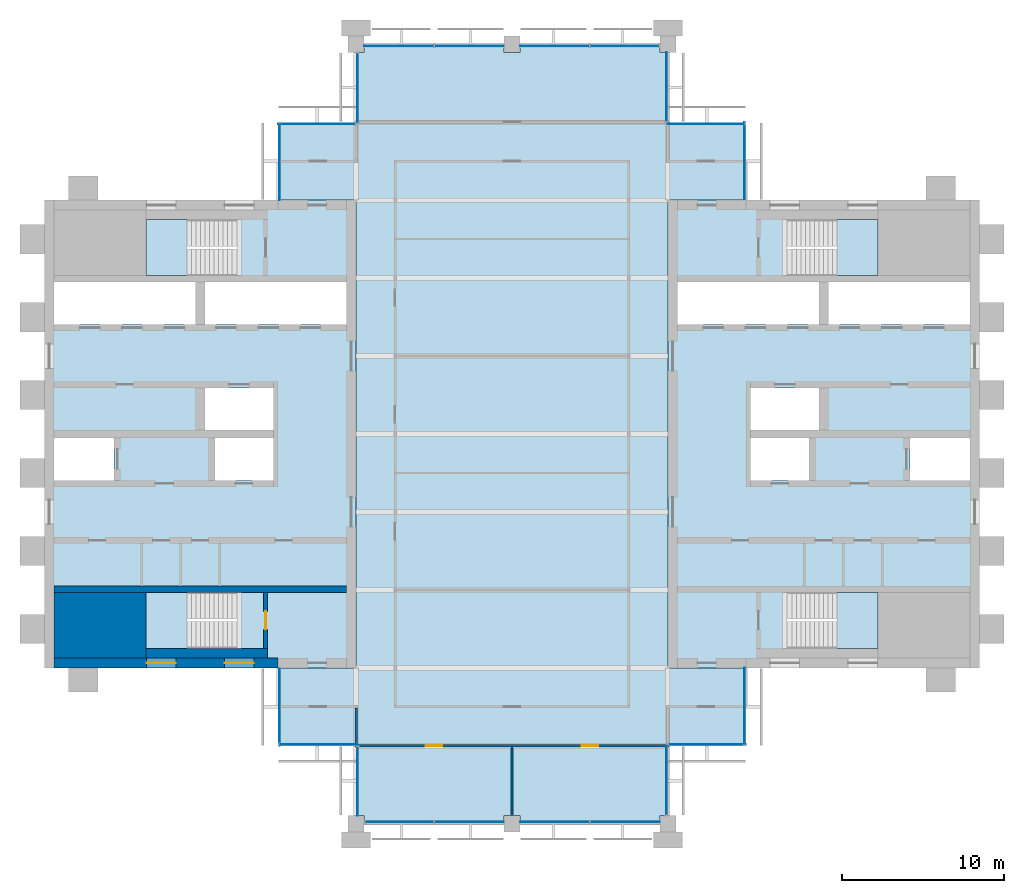
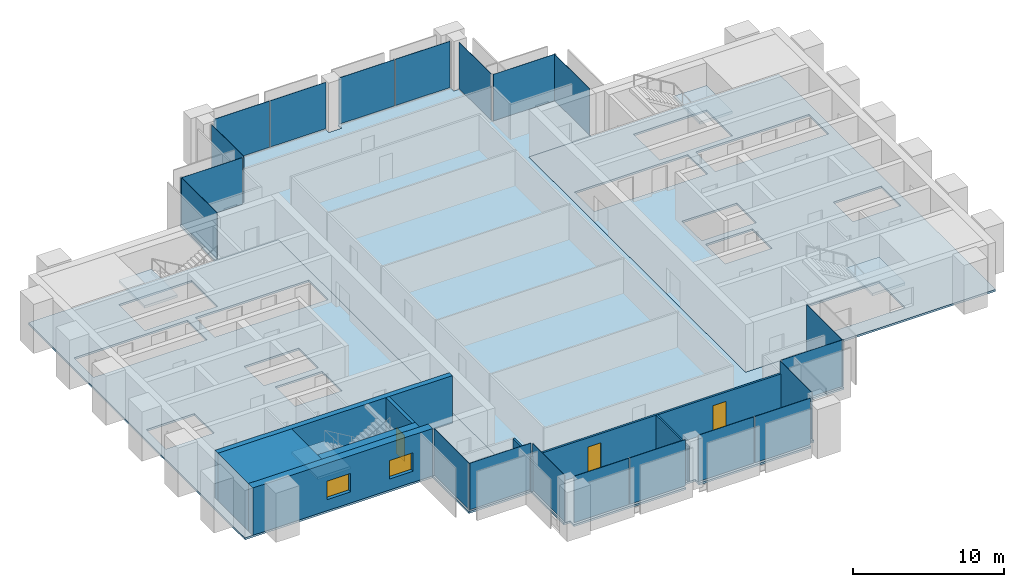
# One storey, part 7 of 12: 20 plates, 8 walls, 7 slabs, 3 doors, 2 windows, 5 openings, 18 elements without a shape of their own.
"""IFC4 building model written with IfcOpenShell, lengths in metres."""

from ifc_helpers import new_model, si_unit, direction, frame, frame_2d, origin, origin_2d, place, context, subcontext, project, spatial, polyline, rectangle, outline, extrude, material, layer, layer_set, type_object, element, fill, aggregate, save


model = new_model("IFC4")

# Units and contexts
model_context = context("Model", 3, precision=1e-05, world=origin(), true_north=direction((0.0, 1.0)))
body_context = subcontext(model_context, "Body", "Model", "MODEL_VIEW")
ifc_project = project(units=[si_unit("LENGTHUNIT", "METRE"), si_unit("AREAUNIT", "SQUARE_METRE"), si_unit("VOLUMEUNIT", "CUBIC_METRE"), si_unit("PLANEANGLEUNIT", "RADIAN"), si_unit("MASSUNIT", "GRAM", prefix="KILO")], contexts=[model_context])

# Site, building, storey
site_placement = place(None, origin())
site = spatial("IfcSite", under=ifc_project, at=site_placement, CompositionType="ELEMENT")
building_placement = place(site_placement, origin())
building = spatial("IfcBuilding", under=site, at=building_placement, Name="Baori Bourse Tower", CompositionType="ELEMENT")
storey_placement = place(building_placement, frame((0.0, 0.0, 322.300048828125)))
storey = spatial("IfcBuildingStorey", under=building, at=storey_placement, Name="L71", CompositionType="ELEMENT", Elevation=322.300048828125)

# Curtain wall, plate
ifc_material_1 = material(Name="Pale anodised aluminium", Category="aluminium")
curtain_wall_type_1 = type_object("IfcCurtainWallType", Name="CW2 Curtain wall", PredefinedType="NOTDEFINED", material=ifc_material_1)
curtain_wall_1_placement = place(storey_placement, origin())
curtain_wall_1 = element("IfcCurtainWall", 1, at=curtain_wall_1_placement, inside=storey, type_object=curtain_wall_type_1, Name="Curtain wall CW2 L71 1", PredefinedType="NOTDEFINED")
ifc_material_2 = material(Name="Clear glass", Category="glass")
ifc_layer_1 = layer(ifc_material_2, 0.030029296875)
ifc_layer_set_1 = layer_set([ifc_layer_1], Name="CW2 Curtain wall panel")
plate_type_1 = type_object("IfcPlateType", Name="CW2 Curtain wall panel", PredefinedType="CURTAIN_PANEL", material=ifc_layer_set_1)
plate_1_placement = place(storey_placement, frame((43.110107421875, 40.827392578125, 0.06982421875), z_axis=(0.0, 0.0, 1.0), x_axis=(0.0, 1.0, 0.0)))
plate_1 = element("IfcPlate", 2, at=plate_1_placement, type_object=plate_type_1, Name="Curtain wall CW2 panel", PredefinedType="CURTAIN_PANEL", context=body_context, shape_type="SweptSolid", body=[
    extrude(rectangle(XDim=4.7451171875, YDim=0.030029296875, at=origin_2d()), origin(), (0.0, 0.0, 1.0), 3.77001953125),
])
aggregate(curtain_wall_1, [plate_1])

curtain_wall_2_placement = place(storey_placement, origin())
curtain_wall_2 = element("IfcCurtainWall", 3, at=curtain_wall_2_placement, inside=storey, type_object=curtain_wall_type_1, Name="Curtain wall CW2 L71 2", PredefinedType="NOTDEFINED")
plate_2_placement = place(storey_placement, frame((40.7724609375, 43.110107421875, 0.06982421875), z_axis=(0.0, 0.0, 1.0), x_axis=(-1.0, 0.0, 0.0)))
plate_2 = element("IfcPlate", 4, at=plate_2_placement, type_object=plate_type_1, Name="Curtain wall CW2 panel", PredefinedType="CURTAIN_PANEL", context=body_context, shape_type="SweptSolid", body=[
    extrude(rectangle(XDim=4.7451171875, YDim=0.030029296875, at=origin_2d()), origin(), (0.0, 0.0, 1.0), 3.77001953125),
])
aggregate(curtain_wall_2, [plate_2])

curtain_wall_3_placement = place(storey_placement, origin())
curtain_wall_3 = element("IfcCurtainWall", 5, at=curtain_wall_3_placement, inside=storey, type_object=curtain_wall_type_1, Name="Curtain wall CW2 L71 3", PredefinedType="NOTDEFINED")
plate_3_placement = place(storey_placement, frame((38.31005859375, 45.37744140625, 0.06982421875), z_axis=(0.0, 0.0, 1.0), x_axis=(0.0, 1.0, 0.0)))
plate_3 = element("IfcPlate", 6, at=plate_3_placement, type_object=plate_type_1, Name="Curtain wall CW2 panel", PredefinedType="CURTAIN_PANEL", context=body_context, shape_type="SweptSolid", body=[
    extrude(rectangle(XDim=4.2451171875, YDim=0.030029296875, at=origin_2d()), origin(), (0.0, 0.0, 1.0), 3.77001953125),
])
aggregate(curtain_wall_3, [plate_3])

curtain_wall_4_placement = place(storey_placement, origin())
curtain_wall_4 = element("IfcCurtainWall", 7, at=curtain_wall_4_placement, inside=storey, type_object=curtain_wall_type_1, Name="Curtain wall CW2 L71 5", PredefinedType="NOTDEFINED")
plate_4_placement = place(storey_placement, frame((19.2900390625, 45.322509765625, 0.06982421875), z_axis=(0.0, 0.0, 1.0), x_axis=(0.0, -1.0, 0.0)))
plate_4 = element("IfcPlate", 8, at=plate_4_placement, type_object=plate_type_1, Name="Curtain wall CW2 panel", PredefinedType="CURTAIN_PANEL", context=body_context, shape_type="SweptSolid", body=[
    extrude(rectangle(XDim=4.2451171875, YDim=0.030029296875, at=origin_2d()), origin(), (0.0, 0.0, 1.0), 3.77001953125),
])
aggregate(curtain_wall_4, [plate_4])

curtain_wall_5_placement = place(storey_placement, origin())
curtain_wall_5 = element("IfcCurtainWall", 9, at=curtain_wall_5_placement, inside=storey, type_object=curtain_wall_type_1, Name="Curtain wall CW2 L71 6", PredefinedType="NOTDEFINED")
plate_5_placement = place(storey_placement, frame((16.7724609375, 43.110107421875, 0.06982421875), z_axis=(0.0, 0.0, 1.0), x_axis=(-1.0, 0.0, 0.0)))
plate_5 = element("IfcPlate", 10, at=plate_5_placement, type_object=plate_type_1, Name="Curtain wall CW2 panel", PredefinedType="CURTAIN_PANEL", context=body_context, shape_type="SweptSolid", body=[
    extrude(rectangle(XDim=4.7451171875, YDim=0.030029296875, at=origin_2d()), origin(), (0.0, 0.0, 1.0), 3.77001953125),
])
aggregate(curtain_wall_5, [plate_5])

curtain_wall_6_placement = place(storey_placement, origin())
curtain_wall_6 = element("IfcCurtainWall", 11, at=curtain_wall_6_placement, inside=storey, type_object=curtain_wall_type_1, Name="Curtain wall CW2 L71 7", PredefinedType="NOTDEFINED")
plate_6_placement = place(storey_placement, frame((14.489990234375, 40.7724609375, 0.06982421875), z_axis=(0.0, 0.0, 1.0), x_axis=(0.0, -1.0, 0.0)))
plate_6 = element("IfcPlate", 12, at=plate_6_placement, type_object=plate_type_1, Name="Curtain wall CW2 panel", PredefinedType="CURTAIN_PANEL", context=body_context, shape_type="SweptSolid", body=[
    extrude(rectangle(XDim=4.7451171875, YDim=0.030029296875, at=origin_2d()), origin(), (0.0, 0.0, 1.0), 3.77001953125),
])
aggregate(curtain_wall_6, [plate_6])

curtain_wall_7_placement = place(storey_placement, origin())
curtain_wall_7 = element("IfcCurtainWall", 13, at=curtain_wall_7_placement, inside=storey, type_object=curtain_wall_type_1, Name="Curtain wall CW2 L71 8", PredefinedType="NOTDEFINED")
plate_7_placement = place(storey_placement, frame((14.489990234375, 7.172607421875, 0.06982421875), z_axis=(0.0, 0.0, 1.0), x_axis=(0.0, -1.0, 0.0)))
plate_7 = element("IfcPlate", 14, at=plate_7_placement, type_object=plate_type_1, Name="Curtain wall CW2 panel", PredefinedType="CURTAIN_PANEL", context=body_context, shape_type="SweptSolid", body=[
    extrude(rectangle(XDim=4.7451171875, YDim=0.030029296875, at=origin_2d()), origin(), (0.0, 0.0, 1.0), 3.77001953125),
])
aggregate(curtain_wall_7, [plate_7])

curtain_wall_8_placement = place(storey_placement, origin())
curtain_wall_8 = element("IfcCurtainWall", 15, at=curtain_wall_8_placement, inside=storey, type_object=curtain_wall_type_1, Name="Curtain wall CW2 L71 9", PredefinedType="NOTDEFINED")
plate_8_placement = place(storey_placement, frame((16.827392578125, 4.889892578125, 0.06982421875), z_axis=(0.0, 0.0, 1.0), x_axis=(1.0, 0.0, 0.0)))
plate_8 = element("IfcPlate", 16, at=plate_8_placement, type_object=plate_type_1, Name="Curtain wall CW2 panel", PredefinedType="CURTAIN_PANEL", context=body_context, shape_type="SweptSolid", body=[
    extrude(rectangle(XDim=4.7451171875, YDim=0.030029296875, at=origin_2d()), origin(), (0.0, 0.0, 1.0), 3.77001953125),
])
aggregate(curtain_wall_8, [plate_8])

curtain_wall_9_placement = place(storey_placement, origin())
curtain_wall_9 = element("IfcCurtainWall", 17, at=curtain_wall_9_placement, inside=storey, type_object=curtain_wall_type_1, Name="Curtain wall CW2 L71 10", PredefinedType="NOTDEFINED")
plate_9_placement = place(storey_placement, frame((19.2900390625, 2.62255859375, 0.06982421875), z_axis=(0.0, 0.0, 1.0), x_axis=(0.0, -1.0, 0.0)))
plate_9 = element("IfcPlate", 18, at=plate_9_placement, type_object=plate_type_1, Name="Curtain wall CW2 panel", PredefinedType="CURTAIN_PANEL", context=body_context, shape_type="SweptSolid", body=[
    extrude(rectangle(XDim=4.2451171875, YDim=0.030029296875, at=origin_2d()), origin(), (0.0, 0.0, 1.0), 3.77001953125),
])
aggregate(curtain_wall_9, [plate_9])

curtain_wall_10_placement = place(storey_placement, origin())
curtain_wall_10 = element("IfcCurtainWall", 19, at=curtain_wall_10_placement, inside=storey, type_object=curtain_wall_type_1, Name="Curtain wall CW2 L71 12", PredefinedType="NOTDEFINED")
plate_10_placement = place(storey_placement, frame((38.31005859375, 2.677490234375, 0.06982421875), z_axis=(0.0, 0.0, 1.0), x_axis=(0.0, 1.0, 0.0)))
plate_10 = element("IfcPlate", 20, at=plate_10_placement, type_object=plate_type_1, Name="Curtain wall CW2 panel", PredefinedType="CURTAIN_PANEL", context=body_context, shape_type="SweptSolid", body=[
    extrude(rectangle(XDim=4.2451171875, YDim=0.030029296875, at=origin_2d()), origin(), (0.0, 0.0, 1.0), 3.77001953125),
])
aggregate(curtain_wall_10, [plate_10])

curtain_wall_11_placement = place(storey_placement, origin())
curtain_wall_11 = element("IfcCurtainWall", 21, at=curtain_wall_11_placement, inside=storey, type_object=curtain_wall_type_1, Name="Curtain wall CW2 L71 13", PredefinedType="NOTDEFINED")
plate_11_placement = place(storey_placement, frame((40.827392578125, 4.889892578125, 0.06982421875), z_axis=(0.0, 0.0, 1.0), x_axis=(1.0, 0.0, 0.0)))
plate_11 = element("IfcPlate", 22, at=plate_11_placement, type_object=plate_type_1, Name="Curtain wall CW2 panel", PredefinedType="CURTAIN_PANEL", context=body_context, shape_type="SweptSolid", body=[
    extrude(rectangle(XDim=4.7451171875, YDim=0.030029296875, at=origin_2d()), origin(), (0.0, 0.0, 1.0), 3.77001953125),
])
aggregate(curtain_wall_11, [plate_11])

curtain_wall_12_placement = place(storey_placement, origin())
curtain_wall_12 = element("IfcCurtainWall", 23, at=curtain_wall_12_placement, inside=storey, type_object=curtain_wall_type_1, Name="Curtain wall CW2 L71 14", PredefinedType="NOTDEFINED")
plate_12_placement = place(storey_placement, frame((43.110107421875, 7.2275390625, 0.06982421875), z_axis=(0.0, 0.0, 1.0), x_axis=(0.0, 1.0, 0.0)))
plate_12 = element("IfcPlate", 24, at=plate_12_placement, type_object=plate_type_1, Name="Curtain wall CW2 panel", PredefinedType="CURTAIN_PANEL", context=body_context, shape_type="SweptSolid", body=[
    extrude(rectangle(XDim=4.7451171875, YDim=0.030029296875, at=origin_2d()), origin(), (0.0, 0.0, 1.0), 3.77001953125),
])
aggregate(curtain_wall_12, [plate_12])

# Curtain wall, plates
ifc_material_3 = material(Name="Pale anodised aluminium", Category="aluminium")
curtain_wall_type_2 = type_object("IfcCurtainWallType", Name="CW5 Curtain wall", PredefinedType="NOTDEFINED", material=ifc_material_3)
curtain_wall_13_placement = place(storey_placement, origin())
curtain_wall_13 = element("IfcCurtainWall", 25, at=curtain_wall_13_placement, inside=storey, type_object=curtain_wall_type_2, Name="Curtain wall CW5 L71 4", PredefinedType="NOTDEFINED")
ifc_material_4 = material(Name="Clear glass", Category="glass")
ifc_layer_2 = layer(ifc_material_4, 0.035888671875)
ifc_layer_set_2 = layer_set([ifc_layer_2], Name="CW5 Curtain wall panel")
plate_type_2 = type_object("IfcPlateType", Name="CW5 Curtain wall panel", PredefinedType="CURTAIN_PANEL", material=ifc_layer_set_2)
plate_13_placement = place(storey_placement, frame((35.733642578125, 47.889892578125, 0.0849609375), z_axis=(0.0, 0.0, 1.0), x_axis=(-1.0, 0.0, 0.0)))
plate_13 = element("IfcPlate", 26, at=plate_13_placement, type_object=plate_type_2, Name="Curtain wall CW5 panel", PredefinedType="CURTAIN_PANEL", context=body_context, shape_type="SweptSolid", body=[
    extrude(rectangle(XDim=4.202392578125, YDim=0.035888671875, at=origin_2d()), origin(), (0.0, 0.0, 1.0), 3.7548828125),
])
plate_14_placement = place(storey_placement, frame((31.433837890625, 47.889892578125, 0.0849609375), z_axis=(0.0, 0.0, 1.0), x_axis=(-1.0, 0.0, 0.0)))
plate_14 = element("IfcPlate", 27, at=plate_14_placement, type_object=plate_type_2, Name="Curtain wall CW5 panel", PredefinedType="CURTAIN_PANEL", context=body_context, shape_type="SweptSolid", body=[
    extrude(rectangle(XDim=4.267578125, YDim=0.035888671875, at=origin_2d()), origin(), (0.0, 0.0, 1.0), 3.7548828125),
])
plate_15_placement = place(storey_placement, frame((26.166259765625, 47.889892578125, 0.0849609375), z_axis=(0.0, 0.0, 1.0), x_axis=(-1.0, 0.0, 0.0)))
plate_15 = element("IfcPlate", 28, at=plate_15_placement, type_object=plate_type_2, Name="Curtain wall CW5 panel", PredefinedType="CURTAIN_PANEL", context=body_context, shape_type="SweptSolid", body=[
    extrude(rectangle(XDim=4.267578125, YDim=0.035888671875, at=origin_2d()), origin(), (0.0, 0.0, 1.0), 3.7548828125),
])
plate_16_placement = place(storey_placement, frame((21.833740234375, 47.889892578125, 0.0849609375), z_axis=(0.0, 0.0, 1.0), x_axis=(-1.0, 0.0, 0.0)))
plate_16 = element("IfcPlate", 29, at=plate_16_placement, type_object=plate_type_2, Name="Curtain wall CW5 panel", PredefinedType="CURTAIN_PANEL", context=body_context, shape_type="SweptSolid", body=[
    extrude(rectangle(XDim=4.267578125, YDim=0.035888671875, at=origin_2d()), origin(), (0.0, 0.0, 1.0), 3.7548828125),
])
aggregate(curtain_wall_13, [plate_13, plate_14, plate_15, plate_16])

curtain_wall_14_placement = place(storey_placement, origin())
curtain_wall_14 = element("IfcCurtainWall", 30, at=curtain_wall_14_placement, inside=storey, type_object=curtain_wall_type_2, Name="Curtain wall CW5 L71 11", PredefinedType="NOTDEFINED")
plate_17_placement = place(storey_placement, frame((21.8662109375, 0.110107421875, 0.0849609375), z_axis=(0.0, 0.0, 1.0), x_axis=(1.0, 0.0, 0.0)))
plate_17 = element("IfcPlate", 31, at=plate_17_placement, type_object=plate_type_2, Name="Curtain wall CW5 panel", PredefinedType="CURTAIN_PANEL", context=body_context, shape_type="SweptSolid", body=[
    extrude(rectangle(XDim=4.202392578125, YDim=0.035888671875, at=origin_2d()), origin(), (0.0, 0.0, 1.0), 3.7548828125),
])
plate_18_placement = place(storey_placement, frame((26.166259765625, 0.110107421875, 0.0849609375), z_axis=(0.0, 0.0, 1.0), x_axis=(1.0, 0.0, 0.0)))
plate_18 = element("IfcPlate", 32, at=plate_18_placement, type_object=plate_type_2, Name="Curtain wall CW5 panel", PredefinedType="CURTAIN_PANEL", context=body_context, shape_type="SweptSolid", body=[
    extrude(rectangle(XDim=4.267578125, YDim=0.035888671875, at=origin_2d()), origin(), (0.0, 0.0, 1.0), 3.7548828125),
])
plate_19_placement = place(storey_placement, frame((31.433837890625, 0.110107421875, 0.0849609375), z_axis=(0.0, 0.0, 1.0), x_axis=(1.0, 0.0, 0.0)))
plate_19 = element("IfcPlate", 33, at=plate_19_placement, type_object=plate_type_2, Name="Curtain wall CW5 panel", PredefinedType="CURTAIN_PANEL", context=body_context, shape_type="SweptSolid", body=[
    extrude(rectangle(XDim=4.267578125, YDim=0.035888671875, at=origin_2d()), origin(), (0.0, 0.0, 1.0), 3.7548828125),
])
plate_20_placement = place(storey_placement, frame((35.766357421875, 0.110107421875, 0.0849609375), z_axis=(0.0, 0.0, 1.0), x_axis=(1.0, 0.0, 0.0)))
plate_20 = element("IfcPlate", 34, at=plate_20_placement, type_object=plate_type_2, Name="Curtain wall CW5 panel", PredefinedType="CURTAIN_PANEL", context=body_context, shape_type="SweptSolid", body=[
    extrude(rectangle(XDim=4.267578125, YDim=0.035888671875, at=origin_2d()), origin(), (0.0, 0.0, 1.0), 3.7548828125),
])
aggregate(curtain_wall_14, [plate_17, plate_18, plate_19, plate_20])

# Slabs
ifc_material_5 = material(Name="Concrete f'c 50 MPa", Category="concrete")
ifc_layer_3 = layer(ifc_material_5, 0.159912109375)
ifc_layer_set_3 = layer_set([ifc_layer_3], Name="Core slab 160")
slab_type_1 = type_object("IfcSlabType", Name="Core slab 160", PredefinedType="FLOOR", material=ifc_layer_set_3)
slab_1_placement = place(storey_placement, frame((0.0, 0.0, -0.16015625)))
element("IfcSlab", 35, at=slab_1_placement, inside=storey, type_object=slab_type_1, Name="Core floor slab W01", PredefinedType="FLOOR", context=body_context, shape_type="SweptSolid", body=[
    extrude(outline(polyline([(19.199951171875, 38.39990234375), (0.0, 38.39990234375), (0.0, 9.60009765625), (19.199951171875, 9.60009765625), (19.199951171875, 38.39990234375)]), holes=[polyline([(9.89990234375, 33.35009765625), (18.60009765625, 33.35009765625), (18.60009765625, 30.75), (9.89990234375, 30.75), (9.89990234375, 33.35009765625)]), polyline([(10.5, 21.14990234375), (10.5, 23.75), (14.10009765625, 23.75), (14.10009765625, 21.14990234375), (10.5, 21.14990234375)]), polyline([(14.10009765625, 24.25), (9.89990234375, 24.25), (9.89990234375, 26.85009765625), (14.10009765625, 26.85009765625), (14.10009765625, 24.25)]), polyline([(6.25, 14.25), (11.84912109375, 14.25), (11.84912109375, 10.800048828125), (6.25, 10.800048828125), (6.25, 14.25)]), polyline([(11.84912109375, 37.199951171875), (11.84912109375, 33.75), (6.25, 33.75), (6.25, 37.199951171875), (11.84912109375, 37.199951171875)]), polyline([(0.60009765625, 30.75), (0.60009765625, 33.35009765625), (9.300048828125, 33.35009765625), (9.300048828125, 30.75), (0.60009765625, 30.75)]), polyline([(4.300048828125, 23.75), (4.300048828125, 21.14990234375), (0.60009765625, 21.14990234375), (0.60009765625, 23.75), (4.300048828125, 23.75)])]), origin(), (0.0, 0.0, 1.0), 0.16015625),
])
slab_2_placement = place(storey_placement, frame((0.0, 0.0, -0.16015625)))
element("IfcSlab", 36, at=slab_2_placement, inside=storey, type_object=slab_type_1, Name="Core floor slab E01", PredefinedType="FLOOR", context=body_context, shape_type="SweptSolid", body=[
    extrude(outline(polyline([(57.60009765625, 9.60009765625), (57.60009765625, 38.39990234375), (38.39990234375, 38.39990234375), (38.39990234375, 9.60009765625), (57.60009765625, 9.60009765625)]), holes=[polyline([(48.300048828125, 33.35009765625), (57.0, 33.35009765625), (57.0, 30.75), (48.300048828125, 30.75), (48.300048828125, 33.35009765625)]), polyline([(57.0, 21.14990234375), (53.300048828125, 21.14990234375), (53.300048828125, 23.75), (57.0, 23.75), (57.0, 21.14990234375)]), polyline([(45.750732421875, 14.25), (51.35009765625, 14.25), (51.35009765625, 10.800048828125), (45.750732421875, 10.800048828125), (45.750732421875, 14.25)]), polyline([(51.35009765625, 37.199951171875), (51.35009765625, 33.75), (45.750732421875, 33.75), (45.750732421875, 37.199951171875), (51.35009765625, 37.199951171875)]), polyline([(43.5, 24.25), (43.5, 26.85009765625), (47.699951171875, 26.85009765625), (47.699951171875, 24.25), (43.5, 24.25)]), polyline([(47.699951171875, 33.35009765625), (47.699951171875, 30.75), (39.0, 30.75), (39.0, 33.35009765625), (47.699951171875, 33.35009765625)]), polyline([(43.5, 23.75), (47.10009765625, 23.75), (47.10009765625, 21.14990234375), (43.5, 21.14990234375), (43.5, 23.75)])]), origin(), (0.0, 0.0, 1.0), 0.16015625),
])

# Stair, slab
ifc_material_6 = material(Name="Concrete f'c 50 MPa", Category="concrete")
stair_type = type_object("IfcStairType", Name="Core stair", PredefinedType="HALF_TURN_STAIR", material=ifc_material_6)
stair_1_placement = place(storey_placement, origin())
stair_1 = element("IfcStair", 37, at=stair_1_placement, inside=storey, type_object=stair_type, Name="L71 Stair WA", PredefinedType="HALF_TURN_STAIR")
ifc_material_7 = material(Name="Concrete f'c 50 MPa", Category="concrete")
slab_type_2 = type_object("IfcSlabType", Name="Core stair landing", PredefinedType="LANDING", material=ifc_material_7)
slab_3_placement = place(storey_placement, frame((0.0, 0.0, 1.800048828125)))
slab_3 = element("IfcSlab", 38, at=slab_3_placement, type_object=slab_type_2, Name="ST1 landing 1", PredefinedType="LANDING", context=body_context, shape_type="SweptSolid", body=[
    extrude(outline(polyline([(8.77001953125, 14.25), (6.25, 14.25), (6.25, 10.800048828125), (8.77001953125, 10.800048828125), (8.77001953125, 14.25)])), origin(), (0.0, 0.0, 1.0), 0.199951171875),
])
aggregate(stair_1, [slab_3])

stair_2_placement = place(storey_placement, origin())
stair_2 = element("IfcStair", 39, at=stair_2_placement, inside=storey, type_object=stair_type, Name="L71 Stair WB", PredefinedType="HALF_TURN_STAIR")
slab_4_placement = place(storey_placement, frame((0.0, 0.0, 1.800048828125)))
slab_4 = element("IfcSlab", 40, at=slab_4_placement, type_object=slab_type_2, Name="ST2 landing 1", PredefinedType="LANDING", context=body_context, shape_type="SweptSolid", body=[
    extrude(outline(polyline([(8.77001953125, 37.199951171875), (6.25, 37.199951171875), (6.25, 33.75), (8.77001953125, 33.75), (8.77001953125, 37.199951171875)])), origin(), (0.0, 0.0, 1.0), 0.199951171875),
])
aggregate(stair_2, [slab_4])

stair_3_placement = place(storey_placement, origin())
stair_3 = element("IfcStair", 41, at=stair_3_placement, inside=storey, type_object=stair_type, Name="L71 Stair EA", PredefinedType="HALF_TURN_STAIR")
slab_5_placement = place(storey_placement, frame((0.0, 0.0, 1.800048828125)))
slab_5 = element("IfcSlab", 42, at=slab_5_placement, type_object=slab_type_2, Name="ST3 landing 1", PredefinedType="LANDING", context=body_context, shape_type="SweptSolid", body=[
    extrude(outline(polyline([(48.830078125, 10.800048828125), (51.35009765625, 10.800048828125), (51.35009765625, 14.25), (48.830078125, 14.25), (48.830078125, 10.800048828125)])), origin(), (0.0, 0.0, 1.0), 0.199951171875),
])
aggregate(stair_3, [slab_5])

stair_4_placement = place(storey_placement, origin())
stair_4 = element("IfcStair", 43, at=stair_4_placement, inside=storey, type_object=stair_type, Name="L71 Stair EB", PredefinedType="HALF_TURN_STAIR")
slab_6_placement = place(storey_placement, frame((0.0, 0.0, 1.800048828125)))
slab_6 = element("IfcSlab", 44, at=slab_6_placement, type_object=slab_type_2, Name="ST4 landing 1", PredefinedType="LANDING", context=body_context, shape_type="SweptSolid", body=[
    extrude(outline(polyline([(48.830078125, 33.75), (51.35009765625, 33.75), (51.35009765625, 37.199951171875), (48.830078125, 37.199951171875), (48.830078125, 33.75)])), origin(), (0.0, 0.0, 1.0), 0.199951171875),
])
aggregate(stair_4, [slab_6])

# Slab
ifc_material_8 = material(Name="Concrete f'c 40 MPa", Category="concrete")
ifc_layer_4 = layer(ifc_material_8, 0.159912109375)
ifc_layer_set_4 = layer_set([ifc_layer_4], Name="Floor slab 160")
slab_type_3 = type_object("IfcSlabType", Name="Floor slab 160", PredefinedType="FLOOR", material=ifc_layer_set_4)
slab_7_placement = place(storey_placement, frame((0.0, 0.0, -0.16015625)))
element("IfcSlab", 45, at=slab_7_placement, inside=storey, type_object=slab_type_3, Name="Floor slab L71", PredefinedType="FLOOR", context=body_context, shape_type="SweptSolid", body=[
    extrude(outline(polyline([(19.199951171875, 4.800048828125), (14.39990234375, 4.800048828125), (14.39990234375, 9.60009765625), (19.199951171875, 9.60009765625), (19.199951171875, 38.39990234375), (14.39990234375, 38.39990234375), (14.39990234375, 43.199951171875), (19.199951171875, 43.199951171875), (19.199951171875, 47.5), (19.699951171875, 47.5), (19.699951171875, 48.0), (28.300048828125, 48.0), (28.300048828125, 47.5), (29.300048828125, 47.5), (29.300048828125, 48.0), (37.89990234375, 48.0), (37.89990234375, 47.5), (38.39990234375, 47.5), (38.39990234375, 43.199951171875), (43.199951171875, 43.199951171875), (43.199951171875, 38.39990234375), (38.39990234375, 38.39990234375), (38.39990234375, 9.60009765625), (43.199951171875, 9.60009765625), (43.199951171875, 4.800048828125), (38.39990234375, 4.800048828125), (38.39990234375, 0.5), (37.89990234375, 0.5), (37.89990234375, 0.0), (29.300048828125, 0.0), (29.300048828125, 0.5), (28.300048828125, 0.5), (28.300048828125, 0.0), (19.699951171875, 0.0), (19.699951171875, 0.5), (19.199951171875, 0.5), (19.199951171875, 4.800048828125)])), origin(), (0.0, 0.0, 1.0), 0.16015625),
])

# Wall
ifc_material_9 = material(Name="Concrete f'c 40 MPa", Category="concrete")
wall_type_1 = type_object("IfcWallType", Name="Core corner block f'c 40", PredefinedType="SHEAR", material=ifc_material_9)
wall_1_placement = place(storey_placement, frame((0.60009765625, 12.22509765625, 0.0), z_axis=(0.0, 0.0, 1.0), x_axis=(1.0, 0.0, 0.0)))
element("IfcWall", 46, at=wall_1_placement, inside=storey, type_object=wall_type_1, Name="Core wall W05", PredefinedType="SHEAR", context=body_context, shape_type="SweptSolid", body=[
    extrude(rectangle(XDim=5.64990234375, YDim=4.050048828125, at=frame_2d((2.824951171875, 0.0))), origin(), (0.0, 0.0, 1.0), 3.83984375),
])

# Wall, openings, windows
ifc_material_10 = material(Name="Concrete f'c 40 MPa", Category="concrete")
ifc_layer_5 = layer(ifc_material_10, 0.60009765625)
ifc_layer_set_5 = layer_set([ifc_layer_5], Name="Core wall 600 f'c 40")
wall_type_2 = type_object("IfcWallType", Name="Core wall 600 f'c 40", PredefinedType="SHEAR", material=ifc_layer_set_5)
wall_2_placement = place(storey_placement, frame((14.39990234375, 9.89990234375, 0.0), z_axis=(0.0, 0.0, 1.0), x_axis=(-1.0, 0.0, 0.0)))
wall_2 = element("IfcWall", 47, at=wall_2_placement, inside=storey, type_object=wall_type_2, Name="Core wall W02", PredefinedType="SHEAR", context=body_context, shape_type="SweptSolid", body=[
    extrude(rectangle(XDim=13.7998046875, YDim=0.60009765625, at=frame_2d((6.89990234375, 0.0))), origin(), (0.0, 0.0, 1.0), 3.83984375),
])
opening_1_placement = place(wall_2_placement, frame((6.300048828125, 0.0, 0.89990234375)))
opening_1 = element("IfcOpeningElement", 48, at=opening_1_placement, cuts=wall_2, Name="Opening L71-KW103", PredefinedType="OPENING", context=body_context, shape_type="SweptSolid", body=[
    extrude(rectangle(XDim=1.800048828125, YDim=1.5, at=frame_2d((0.89990234375, 0.75))), frame((0.0, 0.31005859375, 0.0), z_axis=(0.0, -1.0, 0.0), x_axis=(1.0, 0.0, 0.0)), (0.0, 0.0, 1.0), 0.6201171875),
])
opening_2_placement = place(wall_2_placement, frame((1.5, 0.0, 0.89990234375)))
opening_2 = element("IfcOpeningElement", 49, at=opening_2_placement, cuts=wall_2, Name="Opening L71-KW104", PredefinedType="OPENING", context=body_context, shape_type="SweptSolid", body=[
    extrude(rectangle(XDim=1.800048828125, YDim=1.5, at=frame_2d((0.89990234375, 0.75))), frame((0.0, 0.31005859375, 0.0), z_axis=(0.0, -1.0, 0.0), x_axis=(1.0, 0.0, 0.0)), (0.0, 0.0, 1.0), 0.6201171875),
])
ifc_material_11 = material(Name="Pale anodised aluminium", Category="aluminium")
window_type = type_object("IfcWindowType", Name="Stair window 1800 x 1500", PartitioningType="SINGLE_PANEL", PredefinedType="WINDOW", material=ifc_material_11)
window_1_placement = place(opening_1_placement, origin())
window_1 = element("IfcWindow", 50, at=window_1_placement, inside=storey, type_object=window_type, Name="Stair window W L71 3", OverallHeight=1.5, OverallWidth=1.800048828125, PartitioningType="SINGLE_PANEL", PredefinedType="WINDOW", context=body_context, shape_type="SweptSolid", body=[
    extrude(rectangle(XDim=1.800048828125, YDim=1.5, at=frame_2d((0.89990234375, 0.75))), frame((0.0, 0.030029296875, 0.0), z_axis=(0.0, -1.0, 0.0), x_axis=(1.0, 0.0, 0.0)), (0.0, 0.0, 1.0), 0.06005859375),
])
fill(opening_1, window_1)
window_2_placement = place(opening_2_placement, origin())
window_2 = element("IfcWindow", 51, at=window_2_placement, inside=storey, type_object=window_type, Name="Stair window W L71 4", OverallHeight=1.5, OverallWidth=1.800048828125, PartitioningType="SINGLE_PANEL", PredefinedType="WINDOW", context=body_context, shape_type="SweptSolid", body=[
    extrude(rectangle(XDim=1.800048828125, YDim=1.5, at=frame_2d((0.89990234375, 0.75))), frame((0.0, 0.030029296875, 0.0), z_axis=(0.0, -1.0, 0.0), x_axis=(1.0, 0.0, 0.0)), (0.0, 0.0, 1.0), 0.06005859375),
])
fill(opening_2, window_2)

# Wall, openings, doors
ifc_material_12 = material(Name="Gypsum board partition")
ifc_layer_6 = layer(ifc_material_12, 0.14990234375)
ifc_layer_set_6 = layer_set([ifc_layer_6], Name="Corridor partition 150")
wall_type_3 = type_object("IfcWallType", Name="Corridor partition 150", PredefinedType="PARTITIONING", material=ifc_layer_set_6)
wall_3_placement = place(storey_placement, frame((19.125, 4.800048828125, 0.0), z_axis=(0.0, 0.0, 1.0), x_axis=(1.0, 0.0, 0.0)))
wall_3 = element("IfcWall", 52, at=wall_3_placement, inside=storey, type_object=wall_type_3, Name="Partition", PredefinedType="PARTITIONING", context=body_context, shape_type="SweptSolid", body=[
    extrude(rectangle(XDim=19.35009765625, YDim=0.14990234375, at=frame_2d((9.675048828125, 0.0))), origin(), (0.0, 0.0, 1.0), 2.849365234375),
])
opening_3_placement = place(wall_3_placement, frame((4.375, 0.0, 0.0)))
opening_3 = element("IfcOpeningElement", 53, at=opening_3_placement, cuts=wall_3, Name="Opening L71-D01", PredefinedType="OPENING", context=body_context, shape_type="SweptSolid", body=[
    extrude(rectangle(XDim=1.0, YDim=2.10009765625, at=frame_2d((0.5, 1.050048828125))), frame((0.0, 0.0849609375, 0.0), z_axis=(0.0, -1.0, 0.0), x_axis=(1.0, 0.0, 0.0)), (0.0, 0.0, 1.0), 0.169921875),
])
opening_4_placement = place(wall_3_placement, frame((13.97509765625, 0.0, 0.0)))
opening_4 = element("IfcOpeningElement", 54, at=opening_4_placement, cuts=wall_3, Name="Opening L71-D02", PredefinedType="OPENING", context=body_context, shape_type="SweptSolid", body=[
    extrude(rectangle(XDim=1.0, YDim=2.10009765625, at=frame_2d((0.5, 1.050048828125))), frame((0.0, 0.0849609375, 0.0), z_axis=(0.0, -1.0, 0.0), x_axis=(1.0, 0.0, 0.0)), (0.0, 0.0, 1.0), 0.169921875),
])
ifc_material_13 = material(Name="Timber door leaf", Category="wood")
door_type_1 = type_object("IfcDoorType", Name="Door 1000 x 2100", OperationType="SINGLE_SWING_LEFT", PredefinedType="DOOR", material=ifc_material_13)
door_1_placement = place(opening_3_placement, origin())
door_1 = element("IfcDoor", 55, at=door_1_placement, inside=storey, type_object=door_type_1, Name="Door", OperationType="SINGLE_SWING_LEFT", OverallHeight=2.10009765625, OverallWidth=1.0, PredefinedType="DOOR", context=body_context, shape_type="SweptSolid", body=[
    extrude(rectangle(XDim=1.0, YDim=2.10009765625, at=frame_2d((0.5, 1.050048828125))), frame((0.0, 0.02490234375, 0.0), z_axis=(0.0, -1.0, 0.0), x_axis=(1.0, 0.0, 0.0)), (0.0, 0.0, 1.0), 0.050048828125),
])
fill(opening_3, door_1)
door_2_placement = place(opening_4_placement, origin())
door_2 = element("IfcDoor", 56, at=door_2_placement, inside=storey, type_object=door_type_1, Name="Door", OperationType="SINGLE_SWING_RIGHT", OverallHeight=2.10009765625, OverallWidth=1.0, PredefinedType="DOOR", context=body_context, shape_type="SweptSolid", body=[
    extrude(rectangle(XDim=1.0, YDim=2.10009765625, at=frame_2d((0.5, 1.050048828125))), frame((0.0, 0.02490234375, 0.0), z_axis=(0.0, -1.0, 0.0), x_axis=(1.0, 0.0, 0.0)), (0.0, 0.0, 1.0), 0.050048828125),
])
fill(opening_4, door_2)

# Walls
wall_4_placement = place(storey_placement, frame((19.199951171875, 4.875, 0.0), z_axis=(0.0, 0.0, 1.0), x_axis=(0.0, 1.0, 0.0)))
element("IfcWall", 57, at=wall_4_placement, inside=storey, type_object=wall_type_3, Name="Partition", PredefinedType="PARTITIONING", context=body_context, shape_type="SweptSolid", body=[
    extrude(rectangle(XDim=2.25, YDim=0.14990234375, at=frame_2d((1.125, 0.0))), origin(), (0.0, 0.0, 1.0), 2.849365234375),
])
ifc_material_14 = material(Name="Gypsum board partition")
ifc_layer_7 = layer(ifc_material_14, 0.125)
ifc_layer_set_7 = layer_set([ifc_layer_7], Name="Partition 125")
wall_type_4 = type_object("IfcWallType", Name="Partition 125", PredefinedType="PARTITIONING", material=ifc_layer_set_7)
wall_5_placement = place(storey_placement, frame((28.800048828125, 0.5, 0.0), z_axis=(0.0, 0.0, 1.0), x_axis=(0.0, 1.0, 0.0)))
element("IfcWall", 58, at=wall_5_placement, inside=storey, type_object=wall_type_4, Name="Partition", PredefinedType="PARTITIONING", context=body_context, shape_type="SweptSolid", body=[
    extrude(rectangle(XDim=4.22509765625, YDim=0.125, at=frame_2d((2.112548828125, 0.0))), origin(), (0.0, 0.0, 1.0), 2.849365234375),
])

# Wall, opening, door
ifc_material_15 = material(Name="Concrete f'c 40 MPa", Category="concrete")
ifc_layer_8 = layer(ifc_material_15, 0.25)
ifc_layer_set_8 = layer_set([ifc_layer_8], Name="Shaft wall 250 f'c 40")
wall_type_5 = type_object("IfcWallType", Name="Shaft wall 250 f'c 40", PredefinedType="SHEAR", material=ifc_layer_set_8)
wall_6_placement = place(storey_placement, frame((13.625, 10.800048828125, 0.0), z_axis=(0.0, 0.0, 1.0), x_axis=(0.0, 1.0, 0.0)))
wall_6 = element("IfcWall", 59, at=wall_6_placement, inside=storey, type_object=wall_type_5, Name="Core wall W07", PredefinedType="SHEAR", context=body_context, shape_type="SweptSolid", body=[
    extrude(rectangle(XDim=3.449951171875, YDim=0.25, at=frame_2d((1.72509765625, 0.0))), origin(), (0.0, 0.0, 1.0), 3.83984375),
])
opening_5_placement = place(wall_6_placement, frame((1.175048828125, 0.0, 0.0)))
opening_5 = element("IfcOpeningElement", 60, at=opening_5_placement, cuts=wall_6, Name="Opening L71-D101", PredefinedType="OPENING", context=body_context, shape_type="SweptSolid", body=[
    extrude(rectangle(XDim=1.10009765625, YDim=2.10009765625, at=frame_2d((0.550048828125, 1.050048828125))), frame((0.0, 0.135009765625, 0.0), z_axis=(0.0, -1.0, 0.0), x_axis=(1.0, 0.0, 0.0)), (0.0, 0.0, 1.0), 0.27001953125),
])
ifc_material_16 = material(Name="Painted steel door", Category="steel")
door_type_2 = type_object("IfcDoorType", Name="Stair door 1100", OperationType="SINGLE_SWING_LEFT", PredefinedType="DOOR", material=ifc_material_16)
door_3_placement = place(opening_5_placement, origin())
door_3 = element("IfcDoor", 61, at=door_3_placement, inside=storey, type_object=door_type_2, Name="Stair door A W L71", OperationType="SINGLE_SWING_LEFT", OverallHeight=2.10009765625, OverallWidth=1.10009765625, PredefinedType="DOOR", context=body_context, shape_type="SweptSolid", body=[
    extrude(rectangle(XDim=1.10009765625, YDim=2.10009765625, at=frame_2d((0.550048828125, 1.050048828125))), frame((0.0, 0.02490234375, 0.0), z_axis=(0.0, -1.0, 0.0), x_axis=(1.0, 0.0, 0.0)), (0.0, 0.0, 1.0), 0.050048828125),
])
fill(opening_5, door_3)

# Walls
ifc_material_17 = material(Name="Concrete f'c 40 MPa", Category="concrete")
ifc_layer_9 = layer(ifc_material_17, 0.39990234375)
ifc_layer_set_9 = layer_set([ifc_layer_9], Name="Shaft wall 400 f'c 40")
wall_type_6 = type_object("IfcWallType", Name="Shaft wall 400 f'c 40", PredefinedType="SHEAR", material=ifc_layer_set_9)
wall_7_placement = place(storey_placement, frame((0.60009765625, 14.449951171875, 0.0), z_axis=(0.0, 0.0, 1.0), x_axis=(1.0, 0.0, 0.0)))
element("IfcWall", 62, at=wall_7_placement, inside=storey, type_object=wall_type_6, Name="Core wall W08", PredefinedType="SHEAR", context=body_context, shape_type="SweptSolid", body=[
    extrude(rectangle(XDim=18.0, YDim=0.39990234375, at=frame_2d((9.0, 0.0))), origin(), (0.0, 0.0, 1.0), 3.83984375),
])
ifc_material_18 = material(Name="Concrete f'c 40 MPa", Category="concrete")
ifc_layer_10 = layer(ifc_material_18, 0.60009765625)
ifc_layer_set_10 = layer_set([ifc_layer_10], Name="Shaft wall 600 f'c 40")
wall_type_7 = type_object("IfcWallType", Name="Shaft wall 600 f'c 40", PredefinedType="SHEAR", material=ifc_layer_set_10)
wall_8_placement = place(storey_placement, frame((6.25, 10.5, 0.0), z_axis=(0.0, 0.0, 1.0), x_axis=(1.0, 0.0, 0.0)))
element("IfcWall", 63, at=wall_8_placement, inside=storey, type_object=wall_type_7, Name="Core wall W06", PredefinedType="SHEAR", context=body_context, shape_type="SweptSolid", body=[
    extrude(rectangle(XDim=7.5, YDim=0.60009765625, at=frame_2d((3.75, 0.0))), origin(), (0.0, 0.0, 1.0), 3.83984375),
])

save(model, "model.ifc")
